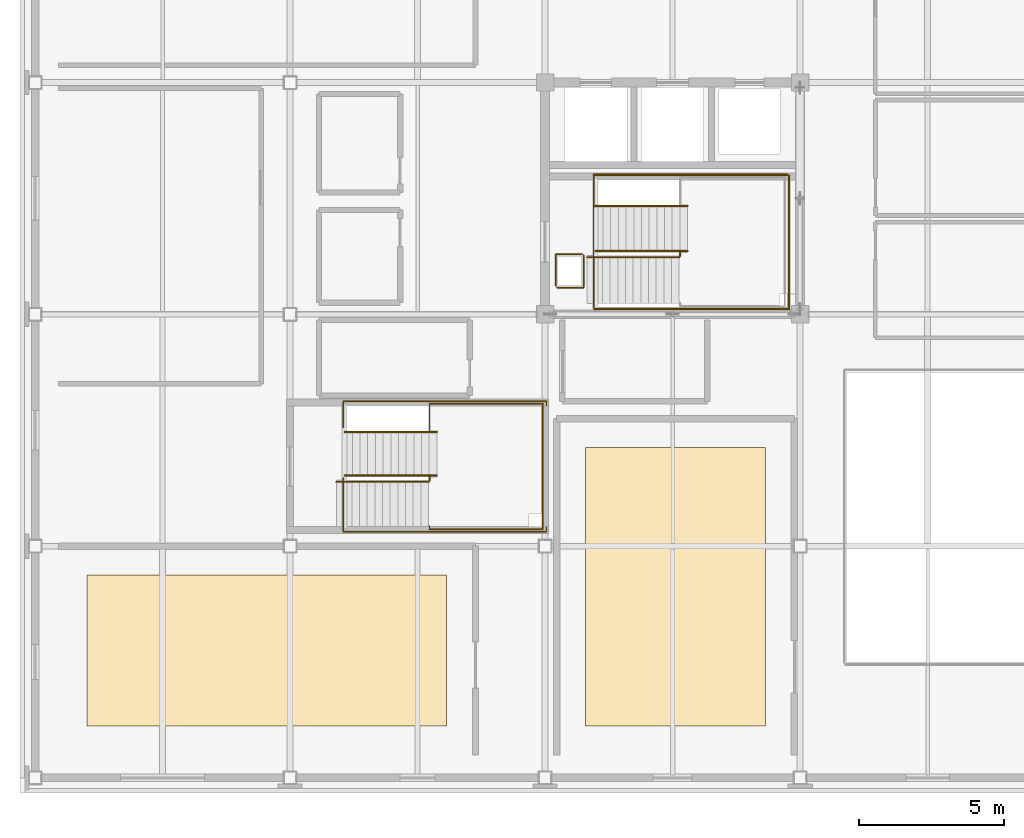
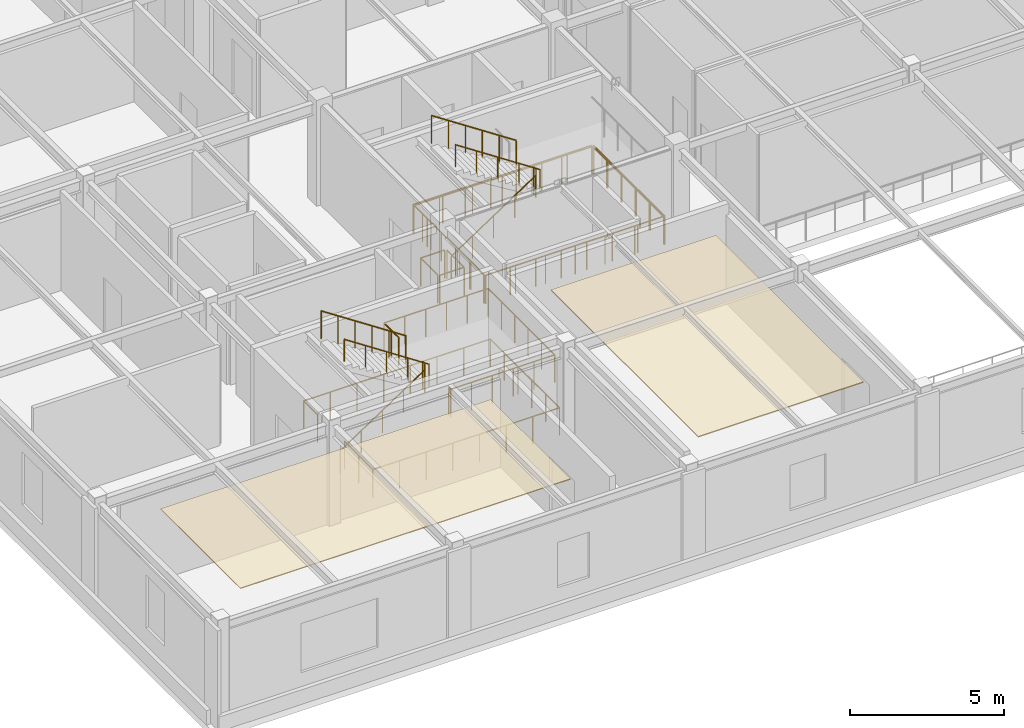
# One storey, part 16 of 18: 15 railings, 2 coverings.
"""IFC4 building model written with IfcOpenShell, lengths in metres."""

import ifcopenshell
import ifcopenshell.guid

model = None  # the IFC model being written
_history = None  # IfcOwnerHistory: only IFC2X3 demands one
_inside = {}  # id of a spatial element -> (the spatial element, [elements in it])
_under = {}  # id of a project, library or spatial element -> (it, [spatial elements below it])
_declared = {}  # id of a project -> (the project, [libraries it declares])
_typed = {}  # id of a type object -> (the type object, [elements of that type])
_made_of = {}  # id of a material, layer set ... -> (it, [elements and type objects made of it])


def new_model(schema):
    """Start an empty IFC model of exactly this schema.

    Asked for "IFC4X3", IfcOpenShell would pick the latest addendum, in which some entities
    have other attributes; the version numbers below select the first issue.
    IFC2X3 requires an IfcOwnerHistory on every rooted entity: one is made here for all.
    """
    global model, _history
    if schema == "IFC4X3":
        model = ifcopenshell.file(schema_version=(4, 3, 0, 0))
    else:
        model = ifcopenshell.file(schema=schema)
    _inside.clear()
    _under.clear()
    _declared.clear()
    _typed.clear()
    _made_of.clear()
    _history = None
    if model.schema == "IFC2X3":
        org = make("IfcOrganization", Name="unknown")
        user = make(
            "IfcPersonAndOrganization",
            ThePerson=make("IfcPerson", FamilyName="unknown"),
            TheOrganization=org,
        )
        app = make(
            "IfcApplication",
            ApplicationDeveloper=org,
            Version="unknown",
            ApplicationFullName="unknown",
            ApplicationIdentifier="unknown",
        )
        _history = make(
            "IfcOwnerHistory",
            OwningUser=user,
            OwningApplication=app,
            ChangeAction="ADDED",
            CreationDate=0,
        )
    return model


def make(cls, **values):
    """One entity of the class cls with the attributes given. An attribute that is None is left unset."""
    return model.create_entity(
        cls, **{name: value for name, value in values.items() if value is not None}
    )


def rooted(cls, **values):
    """An entity with a GlobalId (a new one), such as an element, a storey or a relation."""
    return make(cls, GlobalId=ifcopenshell.guid.new(), OwnerHistory=_history, **values)


def si_unit(unit_type, name, prefix=None):
    """IfcSIUnit, for example si_unit("LENGTHUNIT", "METRE", prefix="MILLI")."""
    return make("IfcSIUnit", UnitType=unit_type, Prefix=prefix, Name=name)


def assignment(units):
    """IfcUnitAssignment: the units of a project."""
    return None if units is None else make("IfcUnitAssignment", Units=units)


def point(xyz):
    """IfcCartesianPoint."""
    return None if xyz is None else make("IfcCartesianPoint", Coordinates=xyz)


def direction(xyz):
    """IfcDirection."""
    return None if xyz is None else make("IfcDirection", DirectionRatios=xyz)


def frame(location, z_axis=None, x_axis=None):
    """IfcAxis2Placement3D, a coordinate frame: its origin and axes. An axis left out is left unset."""
    return make(
        "IfcAxis2Placement3D",
        Location=point(location),
        Axis=direction(z_axis),
        RefDirection=direction(x_axis),
    )


def frame_2d(location, x_axis=None):
    """IfcAxis2Placement2D, a coordinate frame in the plane: its origin and x axis."""
    return make(
        "IfcAxis2Placement2D", Location=point(location), RefDirection=direction(x_axis)
    )


def origin():
    """The frame at (0, 0, 0) with its axes left unset."""
    return frame((0.0, 0.0, 0.0))


def origin_2d():
    """The frame at (0, 0) in the plane with its x axis left unset."""
    return frame_2d((0.0, 0.0))


def place(relative_to, where):
    """IfcLocalPlacement: puts the frame where relative to a parent placement (None: the world)."""
    return make(
        "IfcLocalPlacement", PlacementRelTo=relative_to, RelativePlacement=where
    )


def context(
    kind, dimensions, precision=None, world=None, true_north=None, identifier=None
):
    """IfcGeometricRepresentationContext, for example the 3D "Model" context."""
    return make(
        "IfcGeometricRepresentationContext",
        ContextIdentifier=identifier,
        ContextType=kind,
        CoordinateSpaceDimension=dimensions,
        Precision=precision,
        WorldCoordinateSystem=world,
        TrueNorth=true_north,
    )


def subcontext(parent, identifier, kind, view, scale=None):
    """IfcGeometricRepresentationSubContext, for example "Body" below "Model"."""
    return make(
        "IfcGeometricRepresentationSubContext",
        ContextIdentifier=identifier,
        ContextType=kind,
        ParentContext=parent,
        TargetScale=scale,
        TargetView=view,
    )


def project(units=None, contexts=None):
    """IfcProject with its units and contexts."""
    return rooted(
        "IfcProject",
        Name="project",
        RepresentationContexts=contexts,
        UnitsInContext=assignment(units),
    )


def spatial(cls, under=None, at=None, **own):
    """A site, building, storey or space (cls), placed at a placement, below another one or the project."""
    s = rooted(cls, ObjectPlacement=at, **own)
    if under is not None:
        _under.setdefault(under.id(), (under, []))[1].append(s)
    return s


def profile(cls, at=None, kind="AREA", **sizes):
    """A parametric profile (cls). Its sizes go by their IFC names, for example OverallWidth=200.0."""
    return make(cls, ProfileType=kind, Position=at, **sizes)


def rectangle(**sizes):
    """IfcRectangleProfileDef."""
    return profile("IfcRectangleProfileDef", **sizes)


def circle(**sizes):
    """IfcCircleProfileDef."""
    return profile("IfcCircleProfileDef", **sizes)


def extrude(swept, where, along, depth):
    """IfcExtrudedAreaSolid: the profile swept, set in the frame where, extruded along a direction by depth."""
    return make(
        "IfcExtrudedAreaSolid",
        SweptArea=swept,
        Position=where,
        ExtrudedDirection=direction(along),
        Depth=depth,
    )


def shape(context_of_items, identifier, shape_type, items):
    """IfcShapeRepresentation: the items that make up one representation, for example the "Body"."""
    return make(
        "IfcShapeRepresentation",
        ContextOfItems=context_of_items,
        RepresentationIdentifier=identifier,
        RepresentationType=shape_type,
        Items=items,
    )


def material(Name=None, Category=None):
    """IfcMaterial."""
    return make("IfcMaterial", Name=Name, Category=Category)


def layer(
    of_material, thickness, ventilated=None, Name=None, Category=None, Priority=None
):
    """IfcMaterialLayer: one layer of a wall or slab, of a material (None: an air gap)."""
    return make(
        "IfcMaterialLayer",
        Material=of_material,
        LayerThickness=thickness,
        IsVentilated=ventilated,
        Name=Name,
        Category=Category,
        Priority=Priority,
    )


def layer_set(layers, Name=None):
    """IfcMaterialLayerSet."""
    return make("IfcMaterialLayerSet", MaterialLayers=layers, LayerSetName=Name)


def made_of(thing, what):
    """Note that an element or type object is made of a material, layer set ...; save() writes the relation."""
    if what is not None:
        _made_of.setdefault(what.id(), (what, []))[1].append(thing)
    return thing


def type_object(cls, material=None, **own):
    """A type object (cls), such as IfcWallType, which elements share."""
    return made_of(rooted(cls, **own), material)


def element(
    cls,
    number,
    at=None,
    inside=None,
    cuts=None,
    type_object=None,
    material=None,
    context=None,
    identifier="Body",
    shape_type=None,
    held_by="IfcProductDefinitionShape",
    body=None,
    shapes=None,
    **own,
):
    """One element of the class cls, such as IfcWall. Its Tag is "e" and its number.

    at: its placement. inside: the storey or other place that contains it. cuts: it is an
    opening in that element (IfcRelVoidsElement). A single representation is given by context,
    identifier, shape_type and body (its items); several are given by shapes. held_by: the class
    of the entity that holds the representations. save() writes the other relations.
    """
    e = rooted(cls, Tag="e%d" % number, ObjectPlacement=at, **own)
    if body is not None:
        shapes = [shape(context, identifier, shape_type, body)]
    if shapes is not None:
        e.Representation = make(held_by, Representations=shapes)
    if inside is not None:
        _inside.setdefault(inside.id(), (inside, []))[1].append(e)
    if cuts is not None:
        rooted(
            "IfcRelVoidsElement", RelatingBuildingElement=cuts, RelatedOpeningElement=e
        )
    if type_object is not None:
        _typed.setdefault(type_object.id(), (type_object, []))[1].append(e)
    return made_of(e, material)


def aggregate(whole, parts):
    """IfcRelAggregates: a whole, such as a stair, and the parts it consists of."""
    return rooted("IfcRelAggregates", RelatingObject=whole, RelatedObjects=parts)


def save(model, path):
    """Write the relations noted so far, then the file.

    IfcRelAggregates (storeys below a building ...), IfcRelContainedInSpatialStructure (elements
    in a storey), IfcRelDefinesByType, IfcRelAssociatesMaterial and IfcRelDeclares: one each for
    every whole, place, type object, material and project.
    """
    for whole, parts in _under.values():
        aggregate(whole, parts)
    for where, things in _inside.values():
        rooted(
            "IfcRelContainedInSpatialStructure",
            RelatedElements=things,
            RelatingStructure=where,
        )
    for kind, things in _typed.values():
        rooted("IfcRelDefinesByType", RelatedObjects=things, RelatingType=kind)
    for what, things in _made_of.values():
        rooted("IfcRelAssociatesMaterial", RelatedObjects=things, RelatingMaterial=what)
    for by, libraries in _declared.values():
        rooted("IfcRelDeclares", RelatingContext=by, RelatedDefinitions=libraries)
    model.write(path)


model = new_model("IFC4")

# Units and contexts
model_context = context("Model", 3, precision=1e-05, world=origin(), true_north=direction((0.0, 1.0)))
body_context = subcontext(model_context, "Body", "Model", "MODEL_VIEW")
ifc_project = project(units=[si_unit("LENGTHUNIT", "METRE"), si_unit("AREAUNIT", "SQUARE_METRE"), si_unit("VOLUMEUNIT", "CUBIC_METRE"), si_unit("PLANEANGLEUNIT", "RADIAN"), si_unit("MASSUNIT", "GRAM", prefix="KILO")], contexts=[model_context])

# Site, building, storey
site_placement = place(None, origin())
site = spatial("IfcSite", under=ifc_project, at=site_placement, CompositionType="ELEMENT")
building_placement = place(site_placement, origin())
building = spatial("IfcBuilding", under=site, at=building_placement, Name="Zhaolan Boulevard Law Courts", CompositionType="ELEMENT")
storey_placement = place(building_placement, frame((0.0, 0.0, 33.0)))
storey = spatial("IfcBuildingStorey", under=building, at=storey_placement, Name="L07", CompositionType="ELEMENT", Elevation=33.0)

# Coverings
ifc_material_1 = material(Name="Perforated acoustic gypsum and timber-slat ceiling", Category="wood")
ifc_layer_1 = layer(ifc_material_1, 0.034912109375)
ifc_layer_set_1 = layer_set([ifc_layer_1])
covering_type_1 = type_object("IfcCoveringType", Name="ACOUSTIC CEILING 35", PredefinedType="CEILING", material=ifc_layer_set_1)
covering_1_placement = place(storey_placement, frame((8.0, 34.39990234375, 3.5126953125), z_axis=(0.0, 0.0, 1.0), x_axis=(1.0, 0.0, 0.0)))
element("IfcCovering", 1, at=covering_1_placement, inside=storey, type_object=covering_type_1, Name="Acoustic Baffle Ceiling CLG-14", PredefinedType="CEILING", context=body_context, shape_type="SweptSolid", body=[
    extrude(rectangle(XDim=12.39990234375, YDim=5.199951171875, at=origin_2d()), origin(), (0.0, 0.0, 1.0), 0.034912109375),
])
ifc_material_2 = material(Name="Perforated acoustic gypsum and timber-slat ceiling", Category="wood")
ifc_layer_2 = layer(ifc_material_2, 0.0400390625)
ifc_layer_set_2 = layer_set([ifc_layer_2])
covering_type_2 = type_object("IfcCoveringType", Name="ACOUSTIC CEILING 40", PredefinedType="CEILING", material=ifc_layer_set_2)
covering_2_placement = place(storey_placement, frame((22.10009765625, 36.60009765625, 3.510009765625), z_axis=(0.0, 0.0, 1.0), x_axis=(1.0, 0.0, 0.0)))
element("IfcCovering", 2, at=covering_2_placement, inside=storey, type_object=covering_type_2, Name="Acoustic Baffle Ceiling CLG-19", PredefinedType="CEILING", context=body_context, shape_type="SweptSolid", body=[
    extrude(rectangle(XDim=6.199951171875, YDim=9.60009765625, at=origin_2d()), origin(), (0.0, 0.0, 1.0), 0.0400390625),
])

# Railings
ifc_material_3 = material(Name="Powder-coated steel and tempered laminated glass", Category="steel")
railing_type_1 = type_object("IfcRailingType", Name="INTERIOR GUARDRAIL 1150", PredefinedType="GUARDRAIL", material=ifc_material_3)
railing_1_placement = place(storey_placement, frame((19.31005859375, 46.169921875, 0.0)))
element("IfcRailing", 3, at=railing_1_placement, inside=storey, type_object=railing_type_1, Name="Atrium Gallery Guardrail VG-7-V5-6A", PredefinedType="GUARDRAIL", context=body_context, shape_type="SweptSolid", body=[
    extrude(circle(Radius=0.02490234375, at=origin_2d()), frame((0.0, 0.0, 1.125), z_axis=(1.0, 0.0, 0.0), x_axis=(0.0, 1.0, 0.0)), (0.0, 0.0, 1.0), 6.719970703125),
    extrude(circle(Radius=0.02490234375, at=origin_2d()), frame((6.719970703125, 0.0, 1.125), z_axis=(0.0, 1.0, 0.0), x_axis=(-1.0, 0.0, 0.0)), (0.0, 0.0, 1.0), 4.6201171875),
    extrude(circle(Radius=0.02099609375, at=origin_2d()), origin(), (0.0, 0.0, 1.0), 1.099853515625),
    extrude(circle(Radius=0.02099609375, at=origin_2d()), frame((1.1201171875, 0.0, 0.0)), (0.0, 0.0, 1.0), 1.099853515625),
    extrude(circle(Radius=0.02099609375, at=origin_2d()), frame((2.239990234375, 0.0, 0.0)), (0.0, 0.0, 1.0), 1.099853515625),
    extrude(circle(Radius=0.02099609375, at=origin_2d()), frame((3.35986328125, 0.0, 0.0)), (0.0, 0.0, 1.0), 1.099853515625),
    extrude(circle(Radius=0.02099609375, at=origin_2d()), frame((4.47998046875, 0.0, 0.0)), (0.0, 0.0, 1.0), 1.099853515625),
    extrude(circle(Radius=0.02099609375, at=origin_2d()), frame((5.60009765625, 0.0, 0.0)), (0.0, 0.0, 1.0), 1.099853515625),
    extrude(circle(Radius=0.02099609375, at=origin_2d()), frame((6.719970703125, 0.0, 0.0)), (0.0, 0.0, 1.0), 1.099853515625),
    extrude(circle(Radius=0.02099609375, at=origin_2d()), frame((6.719970703125, 0.924072265625, 0.0)), (0.0, 0.0, 1.0), 1.099853515625),
    extrude(circle(Radius=0.02099609375, at=origin_2d()), frame((6.719970703125, 1.84814453125, 0.0)), (0.0, 0.0, 1.0), 1.099853515625),
    extrude(circle(Radius=0.02099609375, at=origin_2d()), frame((6.719970703125, 2.77197265625, 0.0)), (0.0, 0.0, 1.0), 1.099853515625),
    extrude(circle(Radius=0.02099609375, at=origin_2d()), frame((6.719970703125, 3.696044921875, 0.0)), (0.0, 0.0, 1.0), 1.099853515625),
    extrude(circle(Radius=0.02099609375, at=origin_2d()), frame((6.719970703125, 4.6201171875, 0.0)), (0.0, 0.0, 1.0), 1.099853515625),
])
railing_2_placement = place(storey_placement, frame((25.969970703125, 50.830078125, 0.0)))
element("IfcRailing", 4, at=railing_2_placement, inside=storey, type_object=railing_type_1, Name="Atrium Gallery Guardrail VG-7-V5-6B", PredefinedType="GUARDRAIL", context=body_context, shape_type="SweptSolid", body=[
    extrude(circle(Radius=0.02490234375, at=origin_2d()), frame((0.0, 0.0, 1.125), z_axis=(-1.0, 0.0, 0.0), x_axis=(0.0, -1.0, 0.0)), (0.0, 0.0, 1.0), 6.699951171875),
    extrude(circle(Radius=0.02490234375, at=origin_2d()), frame((-6.699951171875, 0.0, 1.125), z_axis=(0.0, -1.0, 0.0), x_axis=(1.0, 0.0, 0.0)), (0.0, 0.0, 1.0), 4.60009765625),
    extrude(circle(Radius=0.02099609375, at=origin_2d()), origin(), (0.0, 0.0, 1.0), 1.099853515625),
    extrude(circle(Radius=0.02099609375, at=origin_2d()), frame((-1.11669921875, 0.0, 0.0)), (0.0, 0.0, 1.0), 1.099853515625),
    extrude(circle(Radius=0.02099609375, at=origin_2d()), frame((-2.2333984375, 0.0, 0.0)), (0.0, 0.0, 1.0), 1.099853515625),
    extrude(circle(Radius=0.02099609375, at=origin_2d()), frame((-3.35009765625, 0.0, 0.0)), (0.0, 0.0, 1.0), 1.099853515625),
    extrude(circle(Radius=0.02099609375, at=origin_2d()), frame((-4.466552734375, 0.0, 0.0)), (0.0, 0.0, 1.0), 1.099853515625),
    extrude(circle(Radius=0.02099609375, at=origin_2d()), frame((-5.583251953125, 0.0, 0.0)), (0.0, 0.0, 1.0), 1.099853515625),
    extrude(circle(Radius=0.02099609375, at=origin_2d()), frame((-6.699951171875, 0.0, 0.0)), (0.0, 0.0, 1.0), 1.099853515625),
    extrude(circle(Radius=0.02099609375, at=origin_2d()), frame((-6.699951171875, -0.919921875, 0.0)), (0.0, 0.0, 1.0), 1.099853515625),
    extrude(circle(Radius=0.02099609375, at=origin_2d()), frame((-6.699951171875, -1.840087890625, 0.0)), (0.0, 0.0, 1.0), 1.099853515625),
    extrude(circle(Radius=0.02099609375, at=origin_2d()), frame((-6.699951171875, -2.760009765625, 0.0)), (0.0, 0.0, 1.0), 1.099853515625),
    extrude(circle(Radius=0.02099609375, at=origin_2d()), frame((-6.699951171875, -3.68017578125, 0.0)), (0.0, 0.0, 1.0), 1.099853515625),
    extrude(circle(Radius=0.02099609375, at=origin_2d()), frame((-6.699951171875, -4.60009765625, 0.0)), (0.0, 0.0, 1.0), 1.099853515625),
])
railing_3_placement = place(storey_placement, frame((18.010009765625, 46.919921875, 0.0)))
element("IfcRailing", 5, at=railing_3_placement, inside=storey, type_object=railing_type_1, Name="Atrium Gallery Guardrail VG-7-V5-9A", PredefinedType="GUARDRAIL", context=body_context, shape_type="SweptSolid", body=[
    extrude(circle(Radius=0.02490234375, at=origin_2d()), frame((0.0, 0.0, 1.125), z_axis=(1.0, 0.0, 0.0), x_axis=(0.0, 1.0, 0.0)), (0.0, 0.0, 1.0), 0.919921875),
    extrude(circle(Radius=0.02490234375, at=origin_2d()), frame((0.919921875, 0.0, 1.125), z_axis=(0.0, 1.0, 0.0), x_axis=(-1.0, 0.0, 0.0)), (0.0, 0.0, 1.0), 1.1201171875),
    extrude(circle(Radius=0.02099609375, at=origin_2d()), origin(), (0.0, 0.0, 1.0), 1.099853515625),
    extrude(circle(Radius=0.02099609375, at=origin_2d()), frame((0.919921875, 0.0, 0.0)), (0.0, 0.0, 1.0), 1.099853515625),
    extrude(circle(Radius=0.02099609375, at=origin_2d()), frame((0.919921875, 1.1201171875, 0.0)), (0.0, 0.0, 1.0), 1.099853515625),
])
railing_4_placement = place(storey_placement, frame((18.8701171875, 48.080078125, 0.0)))
element("IfcRailing", 6, at=railing_4_placement, inside=storey, type_object=railing_type_1, Name="Atrium Gallery Guardrail VG-7-V5-9B", PredefinedType="GUARDRAIL", context=body_context, shape_type="SweptSolid", body=[
    extrude(circle(Radius=0.02490234375, at=origin_2d()), frame((0.0, 0.0, 1.125), z_axis=(-1.0, 0.0, 0.0), x_axis=(0.0, -1.0, 0.0)), (0.0, 0.0, 1.0), 0.900146484375),
    extrude(circle(Radius=0.02490234375, at=origin_2d()), frame((-0.900146484375, 0.0, 1.125), z_axis=(0.0, -1.0, 0.0), x_axis=(1.0, 0.0, 0.0)), (0.0, 0.0, 1.0), 1.10009765625),
    extrude(circle(Radius=0.02099609375, at=origin_2d()), origin(), (0.0, 0.0, 1.0), 1.099853515625),
    extrude(circle(Radius=0.02099609375, at=origin_2d()), frame((-0.900146484375, 0.0, 0.0)), (0.0, 0.0, 1.0), 1.099853515625),
    extrude(circle(Radius=0.02099609375, at=origin_2d()), frame((-0.900146484375, -1.10009765625, 0.0)), (0.0, 0.0, 1.0), 1.099853515625),
])
ifc_material_4 = material(Name="Brushed stainless steel tubular handrail", Category="steel")
railing_type_2 = type_object("IfcRailingType", Name="STAIR HANDRAIL 900", PredefinedType="HANDRAIL", material=ifc_material_4)
railing_5_placement = place(storey_placement, frame((19.050048828125, 47.969970703125, 0.0)))
element("IfcRailing", 7, at=railing_5_placement, inside=storey, type_object=railing_type_2, Name="Stair Handrail HR-ST01-L07-1", PredefinedType="HANDRAIL", context=body_context, shape_type="SweptSolid", body=[
    extrude(circle(Radius=0.0224609375, at=origin_2d()), frame((0.0, 0.0, 0.87744140625), z_axis=(0.834447378162, 0.0, 0.551087627405), x_axis=(0.0, 1.0, 0.0)), (0.0, 0.0, 1.0), 3.810791015625),
    extrude(circle(Radius=0.01904296875, at=origin_2d()), origin(), (0.0, 0.0, 1.0), 0.85498046875),
    extrude(circle(Radius=0.01904296875, at=origin_2d()), frame((0.794921875, 0.0, 0.52490234375)), (0.0, 0.0, 1.0), 0.85498046875),
    extrude(circle(Radius=0.01904296875, at=origin_2d()), frame((1.58984375, 0.0, 1.050048828125)), (0.0, 0.0, 1.0), 0.85498046875),
    extrude(circle(Radius=0.01904296875, at=origin_2d()), frame((2.385009765625, 0.0, 1.5751953125)), (0.0, 0.0, 1.0), 0.85498046875),
    extrude(circle(Radius=0.01904296875, at=origin_2d()), frame((3.179931640625, 0.0, 2.10009765625)), (0.0, 0.0, 1.0), 0.85498046875),
])
railing_6_placement = place(storey_placement, frame((22.514892578125, 48.18994140625, 2.10009765625)))
element("IfcRailing", 8, at=railing_6_placement, inside=storey, type_object=railing_type_2, Name="Stair Handrail HR-ST01-L07-2", PredefinedType="HANDRAIL", context=body_context, shape_type="SweptSolid", body=[
    extrude(circle(Radius=0.0224609375, at=origin_2d()), frame((0.0, 0.0, 0.87744140625), z_axis=(-0.834476838559, 0.0, 0.551043016387), x_axis=(0.0, -1.0, 0.0)), (0.0, 0.0, 1.0), 3.810791015625),
    extrude(circle(Radius=0.01904296875, at=origin_2d()), origin(), (0.0, 0.0, 1.0), 0.85498046875),
    extrude(circle(Radius=0.01904296875, at=origin_2d()), frame((-0.794921875, 0.0, 0.52490234375)), (0.0, 0.0, 1.0), 0.85498046875),
    extrude(circle(Radius=0.01904296875, at=origin_2d()), frame((-1.58984375, 0.0, 1.0498046875)), (0.0, 0.0, 1.0), 0.85498046875),
    extrude(circle(Radius=0.01904296875, at=origin_2d()), frame((-2.385009765625, 0.0, 1.574951171875)), (0.0, 0.0, 1.0), 0.85498046875),
    extrude(circle(Radius=0.01904296875, at=origin_2d()), frame((-3.179931640625, 0.0, 2.099853515625)), (0.0, 0.0, 1.0), 0.85498046875),
])
railing_7_placement = place(storey_placement, frame((10.39990234375, 40.219970703125, 0.0)))
element("IfcRailing", 9, at=railing_7_placement, inside=storey, type_object=railing_type_2, Name="Stair Handrail HR-ST03-L07-1", PredefinedType="HANDRAIL", context=body_context, shape_type="SweptSolid", body=[
    extrude(circle(Radius=0.0224609375, at=origin_2d()), frame((0.0, 0.0, 0.87744140625), z_axis=(0.834466833004, 0.0, 0.551058168087), x_axis=(0.0, 1.0, 0.0)), (0.0, 0.0, 1.0), 3.81103515625),
    extrude(circle(Radius=0.01904296875, at=origin_2d()), origin(), (0.0, 0.0, 1.0), 0.85498046875),
    extrude(circle(Radius=0.01904296875, at=origin_2d()), frame((0.794921875, 0.0, 0.52490234375)), (0.0, 0.0, 1.0), 0.85498046875),
    extrude(circle(Radius=0.01904296875, at=origin_2d()), frame((1.590087890625, 0.0, 1.050048828125)), (0.0, 0.0, 1.0), 0.85498046875),
    extrude(circle(Radius=0.01904296875, at=origin_2d()), frame((2.38525390625, 0.0, 1.5751953125)), (0.0, 0.0, 1.0), 0.85498046875),
    extrude(circle(Radius=0.01904296875, at=origin_2d()), frame((3.18017578125, 0.0, 2.10009765625)), (0.0, 0.0, 1.0), 0.85498046875),
])
railing_8_placement = place(storey_placement, frame((13.864990234375, 40.43994140625, 2.10009765625)))
element("IfcRailing", 10, at=railing_8_placement, inside=storey, type_object=railing_type_2, Name="Stair Handrail HR-ST03-L07-2", PredefinedType="HANDRAIL", context=body_context, shape_type="SweptSolid", body=[
    extrude(circle(Radius=0.0224609375, at=origin_2d()), frame((0.0, 0.0, 0.87744140625), z_axis=(-0.834476838559, 0.0, 0.551043016387), x_axis=(0.0, -1.0, 0.0)), (0.0, 0.0, 1.0), 3.810791015625),
    extrude(circle(Radius=0.01904296875, at=origin_2d()), origin(), (0.0, 0.0, 1.0), 0.85498046875),
    extrude(circle(Radius=0.01904296875, at=origin_2d()), frame((-0.794921875, 0.0, 0.52490234375)), (0.0, 0.0, 1.0), 0.85498046875),
    extrude(circle(Radius=0.01904296875, at=origin_2d()), frame((-1.58984375, 0.0, 1.0498046875)), (0.0, 0.0, 1.0), 0.85498046875),
    extrude(circle(Radius=0.01904296875, at=origin_2d()), frame((-2.385009765625, 0.0, 1.574951171875)), (0.0, 0.0, 1.0), 0.85498046875),
    extrude(circle(Radius=0.01904296875, at=origin_2d()), frame((-3.179931640625, 0.0, 2.099853515625)), (0.0, 0.0, 1.0), 0.85498046875),
])
ifc_material_5 = material(Name="Powder-coated steel baluster guardrail", Category="steel")
railing_type_3 = type_object("IfcRailingType", Name="STAIR WELL GUARDRAIL 1120", PredefinedType="GUARDRAIL", material=ifc_material_5)
railing_9_placement = place(storey_placement, frame((19.2900390625, 48.0, 0.0)))
element("IfcRailing", 11, at=railing_9_placement, inside=storey, type_object=railing_type_3, Name="Stair-Well Floor Guardrail WG-ST01-L06", PredefinedType="GUARDRAIL", context=body_context, shape_type="SweptSolid", body=[
    extrude(circle(Radius=0.02392578125, at=origin_2d()), frame((0.0, 0.0, 1.09619140625), z_axis=(0.0, -1.0, 0.0), x_axis=(1.0, 0.0, 0.0)), (0.0, 0.0, 1.0), 1.800048828125),
    extrude(circle(Radius=0.02392578125, at=origin_2d()), frame((0.0, -1.800048828125, 1.09619140625), z_axis=(1.0, 0.0, 0.0), x_axis=(0.0, 1.0, 0.0)), (0.0, 0.0, 1.0), 6.7099609375),
    extrude(circle(Radius=0.02392578125, at=origin_2d()), frame((6.7099609375, -1.800048828125, 1.09619140625), z_axis=(0.0, 1.0, 0.0), x_axis=(-1.0, 0.0, 0.0)), (0.0, 0.0, 1.0), 4.60009765625),
    extrude(circle(Radius=0.02392578125, at=origin_2d()), frame((6.7099609375, 2.800048828125, 1.09619140625), z_axis=(-1.0, 0.0, 0.0), x_axis=(0.0, -1.0, 0.0)), (0.0, 0.0, 1.0), 6.7099609375),
    extrude(circle(Radius=0.02392578125, at=origin_2d()), frame((0.0, 2.800048828125, 1.09619140625), z_axis=(0.0, -1.0, 0.0), x_axis=(1.0, 0.0, 0.0)), (0.0, 0.0, 1.0), 1.10009765625),
    extrude(circle(Radius=0.02099609375, at=origin_2d()), origin(), (0.0, 0.0, 1.0), 1.072021484375),
    extrude(circle(Radius=0.02099609375, at=origin_2d()), frame((0.0, -0.89990234375, 0.0)), (0.0, 0.0, 1.0), 1.072021484375),
    extrude(circle(Radius=0.02099609375, at=origin_2d()), frame((0.0, -1.800048828125, 0.0)), (0.0, 0.0, 1.0), 1.072021484375),
    extrude(circle(Radius=0.02099609375, at=origin_2d()), frame((0.95849609375, -1.800048828125, 0.0)), (0.0, 0.0, 1.0), 1.072021484375),
    extrude(circle(Radius=0.02099609375, at=origin_2d()), frame((1.917236328125, -1.800048828125, 0.0)), (0.0, 0.0, 1.0), 1.072021484375),
    extrude(circle(Radius=0.02099609375, at=origin_2d()), frame((2.875732421875, -1.800048828125, 0.0)), (0.0, 0.0, 1.0), 1.072021484375),
    extrude(circle(Radius=0.02099609375, at=origin_2d()), frame((3.834228515625, -1.800048828125, 0.0)), (0.0, 0.0, 1.0), 1.072021484375),
    extrude(circle(Radius=0.02099609375, at=origin_2d()), frame((4.792724609375, -1.800048828125, 0.0)), (0.0, 0.0, 1.0), 1.072021484375),
    extrude(circle(Radius=0.02099609375, at=origin_2d()), frame((5.75146484375, -1.800048828125, 0.0)), (0.0, 0.0, 1.0), 1.072021484375),
    extrude(circle(Radius=0.02099609375, at=origin_2d()), frame((6.7099609375, -1.800048828125, 0.0)), (0.0, 0.0, 1.0), 1.072021484375),
    extrude(circle(Radius=0.02099609375, at=origin_2d()), frame((6.7099609375, -0.880126953125, 0.0)), (0.0, 0.0, 1.0), 1.072021484375),
    extrude(circle(Radius=0.02099609375, at=origin_2d()), frame((6.7099609375, 0.0400390625, 0.0)), (0.0, 0.0, 1.0), 1.072021484375),
    extrude(circle(Radius=0.02099609375, at=origin_2d()), frame((6.7099609375, 0.9599609375, 0.0)), (0.0, 0.0, 1.0), 1.072021484375),
    extrude(circle(Radius=0.02099609375, at=origin_2d()), frame((6.7099609375, 1.880126953125, 0.0)), (0.0, 0.0, 1.0), 1.072021484375),
    extrude(circle(Radius=0.02099609375, at=origin_2d()), frame((6.7099609375, 2.800048828125, 0.0)), (0.0, 0.0, 1.0), 1.072021484375),
    extrude(circle(Radius=0.02099609375, at=origin_2d()), frame((5.75146484375, 2.800048828125, 0.0)), (0.0, 0.0, 1.0), 1.072021484375),
    extrude(circle(Radius=0.02099609375, at=origin_2d()), frame((4.792724609375, 2.800048828125, 0.0)), (0.0, 0.0, 1.0), 1.072021484375),
    extrude(circle(Radius=0.02099609375, at=origin_2d()), frame((3.834228515625, 2.800048828125, 0.0)), (0.0, 0.0, 1.0), 1.072021484375),
    extrude(circle(Radius=0.02099609375, at=origin_2d()), frame((2.875732421875, 2.800048828125, 0.0)), (0.0, 0.0, 1.0), 1.072021484375),
    extrude(circle(Radius=0.02099609375, at=origin_2d()), frame((1.917236328125, 2.800048828125, 0.0)), (0.0, 0.0, 1.0), 1.072021484375),
    extrude(circle(Radius=0.02099609375, at=origin_2d()), frame((0.95849609375, 2.800048828125, 0.0)), (0.0, 0.0, 1.0), 1.072021484375),
    extrude(circle(Radius=0.02099609375, at=origin_2d()), frame((0.0, 2.800048828125, 0.0)), (0.0, 0.0, 1.0), 1.072021484375),
    extrude(circle(Radius=0.02099609375, at=origin_2d()), frame((0.0, 2.25, 0.0)), (0.0, 0.0, 1.0), 1.072021484375),
    extrude(circle(Radius=0.02099609375, at=origin_2d()), frame((0.0, 1.699951171875, 0.0)), (0.0, 0.0, 1.0), 1.072021484375),
])
railing_10_placement = place(storey_placement, frame((22.260009765625, 48.010009765625, 2.10009765625)))
element("IfcRailing", 12, at=railing_10_placement, inside=storey, type_object=railing_type_3, Name="Half-Landing Well Guardrail SG-ST01-L07-W", PredefinedType="GUARDRAIL", context=body_context, shape_type="SweptSolid", body=[
    extrude(circle(Radius=0.02392578125, at=origin_2d()), frame((0.0, 0.0, 1.09619140625), z_axis=(0.0, 1.0, 0.0), x_axis=(-1.0, 0.0, 0.0)), (0.0, 0.0, 1.0), 0.139892578125),
    extrude(circle(Radius=0.02099609375, at=origin_2d()), origin(), (0.0, 0.0, 1.0), 1.072021484375),
    extrude(circle(Radius=0.02099609375, at=origin_2d()), frame((0.0, 0.139892578125, 0.0)), (0.0, 0.0, 1.0), 1.072021484375),
])
railing_11_placement = place(storey_placement, frame((22.514892578125, 49.739990234375, 2.10009765625)))
element("IfcRailing", 13, at=railing_11_placement, inside=storey, type_object=railing_type_3, Name="Flight Guardrail SG-ST01-L07-F2", PredefinedType="GUARDRAIL", context=body_context, shape_type="SweptSolid", body=[
    extrude(circle(Radius=0.02392578125, at=origin_2d()), frame((0.0, 0.0, 1.09619140625), z_axis=(-0.834476838559, 0.0, 0.551043016387), x_axis=(0.0, -1.0, 0.0)), (0.0, 0.0, 1.0), 3.810791015625),
    extrude(circle(Radius=0.02099609375, at=origin_2d()), origin(), (0.0, 0.0, 1.0), 1.072021484375),
    extrude(circle(Radius=0.02099609375, at=origin_2d()), frame((-0.635986328125, 0.0, 0.419921875)), (0.0, 0.0, 1.0), 1.072021484375),
    extrude(circle(Radius=0.02099609375, at=origin_2d()), frame((-1.27197265625, 0.0, 0.83984375)), (0.0, 0.0, 1.0), 1.072021484375),
    extrude(circle(Radius=0.02099609375, at=origin_2d()), frame((-1.907958984375, 0.0, 1.260009765625)), (0.0, 0.0, 1.0), 1.072021484375),
    extrude(circle(Radius=0.02099609375, at=origin_2d()), frame((-2.5439453125, 0.0, 1.679931640625)), (0.0, 0.0, 1.0), 1.072021484375),
    extrude(circle(Radius=0.02099609375, at=origin_2d()), frame((-3.179931640625, 0.0, 2.099853515625)), (0.0, 0.0, 1.0), 1.072021484375),
])
railing_12_placement = place(storey_placement, frame((10.639892578125, 40.35009765625, 0.0)))
element("IfcRailing", 14, at=railing_12_placement, inside=storey, type_object=railing_type_3, Name="Stair-Well Floor Guardrail WG-ST03-L06", PredefinedType="GUARDRAIL", context=body_context, shape_type="SweptSolid", body=[
    extrude(circle(Radius=0.02392578125, at=origin_2d()), frame((0.0, 0.0, 1.09619140625), z_axis=(0.0, -1.0, 0.0), x_axis=(1.0, 0.0, 0.0)), (0.0, 0.0, 1.0), 1.85009765625),
    extrude(circle(Radius=0.02392578125, at=origin_2d()), frame((0.0, -1.85009765625, 1.09619140625), z_axis=(1.0, 0.0, 0.0), x_axis=(0.0, 1.0, 0.0)), (0.0, 0.0, 1.0), 7.010009765625),
    extrude(circle(Radius=0.02392578125, at=origin_2d()), frame((7.010009765625, -1.85009765625, 1.09619140625), z_axis=(0.0, 1.0, 0.0), x_axis=(-1.0, 0.0, 0.0)), (0.0, 0.0, 1.0), 4.5),
    extrude(circle(Radius=0.02392578125, at=origin_2d()), frame((7.010009765625, 2.64990234375, 1.09619140625), z_axis=(-1.0, 0.0, 0.0), x_axis=(0.0, -1.0, 0.0)), (0.0, 0.0, 1.0), 7.010009765625),
    extrude(circle(Radius=0.02392578125, at=origin_2d()), frame((0.0, 2.64990234375, 1.09619140625), z_axis=(0.0, -1.0, 0.0), x_axis=(1.0, 0.0, 0.0)), (0.0, 0.0, 1.0), 0.89990234375),
    extrude(circle(Radius=0.02099609375, at=origin_2d()), origin(), (0.0, 0.0, 1.0), 1.072021484375),
    extrude(circle(Radius=0.02099609375, at=origin_2d()), frame((0.0, -0.925048828125, 0.0)), (0.0, 0.0, 1.0), 1.072021484375),
    extrude(circle(Radius=0.02099609375, at=origin_2d()), frame((0.0, -1.85009765625, 0.0)), (0.0, 0.0, 1.0), 1.072021484375),
    extrude(circle(Radius=0.02099609375, at=origin_2d()), frame((1.00146484375, -1.85009765625, 0.0)), (0.0, 0.0, 1.0), 1.072021484375),
    extrude(circle(Radius=0.02099609375, at=origin_2d()), frame((2.0029296875, -1.85009765625, 0.0)), (0.0, 0.0, 1.0), 1.072021484375),
    extrude(circle(Radius=0.02099609375, at=origin_2d()), frame((3.00439453125, -1.85009765625, 0.0)), (0.0, 0.0, 1.0), 1.072021484375),
    extrude(circle(Radius=0.02099609375, at=origin_2d()), frame((4.005615234375, -1.85009765625, 0.0)), (0.0, 0.0, 1.0), 1.072021484375),
    extrude(circle(Radius=0.02099609375, at=origin_2d()), frame((5.007080078125, -1.85009765625, 0.0)), (0.0, 0.0, 1.0), 1.072021484375),
    extrude(circle(Radius=0.02099609375, at=origin_2d()), frame((6.008544921875, -1.85009765625, 0.0)), (0.0, 0.0, 1.0), 1.072021484375),
    extrude(circle(Radius=0.02099609375, at=origin_2d()), frame((7.010009765625, -1.85009765625, 0.0)), (0.0, 0.0, 1.0), 1.072021484375),
    extrude(circle(Radius=0.02099609375, at=origin_2d()), frame((7.010009765625, -0.9501953125, 0.0)), (0.0, 0.0, 1.0), 1.072021484375),
    extrude(circle(Radius=0.02099609375, at=origin_2d()), frame((7.010009765625, -0.050048828125, 0.0)), (0.0, 0.0, 1.0), 1.072021484375),
    extrude(circle(Radius=0.02099609375, at=origin_2d()), frame((7.010009765625, 0.849853515625, 0.0)), (0.0, 0.0, 1.0), 1.072021484375),
    extrude(circle(Radius=0.02099609375, at=origin_2d()), frame((7.010009765625, 1.75, 0.0)), (0.0, 0.0, 1.0), 1.072021484375),
    extrude(circle(Radius=0.02099609375, at=origin_2d()), frame((7.010009765625, 2.64990234375, 0.0)), (0.0, 0.0, 1.0), 1.072021484375),
    extrude(circle(Radius=0.02099609375, at=origin_2d()), frame((6.008544921875, 2.64990234375, 0.0)), (0.0, 0.0, 1.0), 1.072021484375),
    extrude(circle(Radius=0.02099609375, at=origin_2d()), frame((5.007080078125, 2.64990234375, 0.0)), (0.0, 0.0, 1.0), 1.072021484375),
    extrude(circle(Radius=0.02099609375, at=origin_2d()), frame((4.005615234375, 2.64990234375, 0.0)), (0.0, 0.0, 1.0), 1.072021484375),
    extrude(circle(Radius=0.02099609375, at=origin_2d()), frame((3.00439453125, 2.64990234375, 0.0)), (0.0, 0.0, 1.0), 1.072021484375),
    extrude(circle(Radius=0.02099609375, at=origin_2d()), frame((2.0029296875, 2.64990234375, 0.0)), (0.0, 0.0, 1.0), 1.072021484375),
    extrude(circle(Radius=0.02099609375, at=origin_2d()), frame((1.00146484375, 2.64990234375, 0.0)), (0.0, 0.0, 1.0), 1.072021484375),
    extrude(circle(Radius=0.02099609375, at=origin_2d()), frame((0.0, 2.64990234375, 0.0)), (0.0, 0.0, 1.0), 1.072021484375),
    extrude(circle(Radius=0.02099609375, at=origin_2d()), frame((0.0, 1.75, 0.0)), (0.0, 0.0, 1.0), 1.072021484375),
])
railing_13_placement = place(storey_placement, frame((13.610107421875, 38.699951171875, 2.10009765625)))
element("IfcRailing", 15, at=railing_13_placement, inside=storey, type_object=railing_type_3, Name="Half-Landing Guardrail SG-ST03-L07-M", PredefinedType="GUARDRAIL", context=body_context, shape_type="SweptSolid", body=[
    extrude(circle(Radius=0.02392578125, at=origin_2d()), frame((0.0, 0.0, 1.09619140625), z_axis=(0.0, -1.0, 0.0), x_axis=(1.0, 0.0, 0.0)), (0.0, 0.0, 1.0), 0.119873046875),
    extrude(circle(Radius=0.02392578125, at=origin_2d()), frame((0.0, -0.119873046875, 1.09619140625), z_axis=(1.0, 0.0, 0.0), x_axis=(0.0, 1.0, 0.0)), (0.0, 0.0, 1.0), 3.909912109375),
    extrude(circle(Radius=0.02392578125, at=origin_2d()), frame((3.909912109375, -0.119873046875, 1.09619140625), z_axis=(0.0, 1.0, 0.0), x_axis=(-1.0, 0.0, 0.0)), (0.0, 0.0, 1.0), 4.33984375),
    extrude(circle(Radius=0.02392578125, at=origin_2d()), frame((3.909912109375, 4.219970703125, 1.09619140625), z_axis=(-1.0, 0.0, 0.0), x_axis=(0.0, -1.0, 0.0)), (0.0, 0.0, 1.0), 3.909912109375),
    extrude(circle(Radius=0.02392578125, at=origin_2d()), frame((0.0, 4.219970703125, 1.09619140625), z_axis=(0.0, -1.0, 0.0), x_axis=(1.0, 0.0, 0.0)), (0.0, 0.0, 1.0), 0.9599609375),
    extrude(circle(Radius=0.02099609375, at=origin_2d()), origin(), (0.0, 0.0, 1.0), 1.072021484375),
    extrude(circle(Radius=0.02099609375, at=origin_2d()), frame((0.0, -0.119873046875, 0.0)), (0.0, 0.0, 1.0), 1.072021484375),
    extrude(circle(Radius=0.02099609375, at=origin_2d()), frame((0.781982421875, -0.119873046875, 0.0)), (0.0, 0.0, 1.0), 1.072021484375),
    extrude(circle(Radius=0.02099609375, at=origin_2d()), frame((1.56396484375, -0.119873046875, 0.0)), (0.0, 0.0, 1.0), 1.072021484375),
    extrude(circle(Radius=0.02099609375, at=origin_2d()), frame((2.345947265625, -0.119873046875, 0.0)), (0.0, 0.0, 1.0), 1.072021484375),
    extrude(circle(Radius=0.02099609375, at=origin_2d()), frame((3.1279296875, -0.119873046875, 0.0)), (0.0, 0.0, 1.0), 1.072021484375),
    extrude(circle(Radius=0.02099609375, at=origin_2d()), frame((3.909912109375, -0.119873046875, 0.0)), (0.0, 0.0, 1.0), 1.072021484375),
    extrude(circle(Radius=0.02099609375, at=origin_2d()), frame((3.909912109375, 0.748046875, 0.0)), (0.0, 0.0, 1.0), 1.072021484375),
    extrude(circle(Radius=0.02099609375, at=origin_2d()), frame((3.909912109375, 1.615966796875, 0.0)), (0.0, 0.0, 1.0), 1.072021484375),
    extrude(circle(Radius=0.02099609375, at=origin_2d()), frame((3.909912109375, 2.484130859375, 0.0)), (0.0, 0.0, 1.0), 1.072021484375),
    extrude(circle(Radius=0.02099609375, at=origin_2d()), frame((3.909912109375, 3.35205078125, 0.0)), (0.0, 0.0, 1.0), 1.072021484375),
    extrude(circle(Radius=0.02099609375, at=origin_2d()), frame((3.909912109375, 4.219970703125, 0.0)), (0.0, 0.0, 1.0), 1.072021484375),
    extrude(circle(Radius=0.02099609375, at=origin_2d()), frame((3.1279296875, 4.219970703125, 0.0)), (0.0, 0.0, 1.0), 1.072021484375),
    extrude(circle(Radius=0.02099609375, at=origin_2d()), frame((2.345947265625, 4.219970703125, 0.0)), (0.0, 0.0, 1.0), 1.072021484375),
    extrude(circle(Radius=0.02099609375, at=origin_2d()), frame((1.56396484375, 4.219970703125, 0.0)), (0.0, 0.0, 1.0), 1.072021484375),
    extrude(circle(Radius=0.02099609375, at=origin_2d()), frame((0.781982421875, 4.219970703125, 0.0)), (0.0, 0.0, 1.0), 1.072021484375),
    extrude(circle(Radius=0.02099609375, at=origin_2d()), frame((0.0, 4.219970703125, 0.0)), (0.0, 0.0, 1.0), 1.072021484375),
    extrude(circle(Radius=0.02099609375, at=origin_2d()), frame((0.0, 3.739990234375, 0.0)), (0.0, 0.0, 1.0), 1.072021484375),
    extrude(circle(Radius=0.02099609375, at=origin_2d()), frame((0.0, 3.260009765625, 0.0)), (0.0, 0.0, 1.0), 1.072021484375),
])
railing_14_placement = place(storey_placement, frame((13.610107421875, 40.260009765625, 2.10009765625)))
element("IfcRailing", 16, at=railing_14_placement, inside=storey, type_object=railing_type_3, Name="Half-Landing Well Guardrail SG-ST03-L07-W", PredefinedType="GUARDRAIL", context=body_context, shape_type="SweptSolid", body=[
    extrude(circle(Radius=0.02392578125, at=origin_2d()), frame((0.0, 0.0, 1.09619140625), z_axis=(0.0, 1.0, 0.0), x_axis=(-1.0, 0.0, 0.0)), (0.0, 0.0, 1.0), 0.139892578125),
    extrude(circle(Radius=0.02099609375, at=origin_2d()), origin(), (0.0, 0.0, 1.0), 1.072021484375),
    extrude(circle(Radius=0.02099609375, at=origin_2d()), frame((0.0, 0.139892578125, 0.0)), (0.0, 0.0, 1.0), 1.072021484375),
])
railing_15_placement = place(storey_placement, frame((13.864990234375, 41.93994140625, 2.10009765625)))
element("IfcRailing", 17, at=railing_15_placement, inside=storey, type_object=railing_type_3, Name="Flight Guardrail SG-ST03-L07-F2", PredefinedType="GUARDRAIL", context=body_context, shape_type="SweptSolid", body=[
    extrude(circle(Radius=0.02392578125, at=origin_2d()), frame((0.0, 0.0, 1.09619140625), z_axis=(-0.834476838559, 0.0, 0.551043016387), x_axis=(0.0, -1.0, 0.0)), (0.0, 0.0, 1.0), 3.810791015625),
    extrude(circle(Radius=0.02099609375, at=origin_2d()), origin(), (0.0, 0.0, 1.0), 1.072021484375),
    extrude(circle(Radius=0.02099609375, at=origin_2d()), frame((-0.635986328125, 0.0, 0.419921875)), (0.0, 0.0, 1.0), 1.072021484375),
    extrude(circle(Radius=0.02099609375, at=origin_2d()), frame((-1.27197265625, 0.0, 0.83984375)), (0.0, 0.0, 1.0), 1.072021484375),
    extrude(circle(Radius=0.02099609375, at=origin_2d()), frame((-1.907958984375, 0.0, 1.260009765625)), (0.0, 0.0, 1.0), 1.072021484375),
    extrude(circle(Radius=0.02099609375, at=origin_2d()), frame((-2.5439453125, 0.0, 1.679931640625)), (0.0, 0.0, 1.0), 1.072021484375),
    extrude(circle(Radius=0.02099609375, at=origin_2d()), frame((-3.179931640625, 0.0, 2.099853515625)), (0.0, 0.0, 1.0), 1.072021484375),
])

save(model, "model.ifc")
